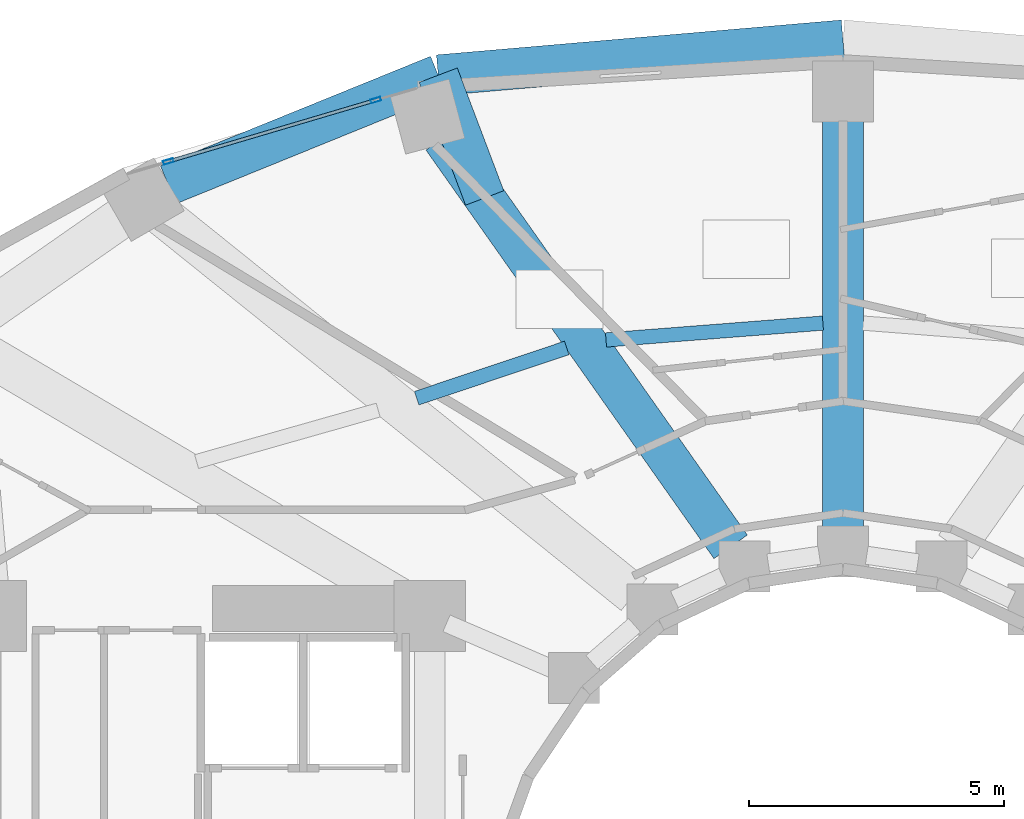
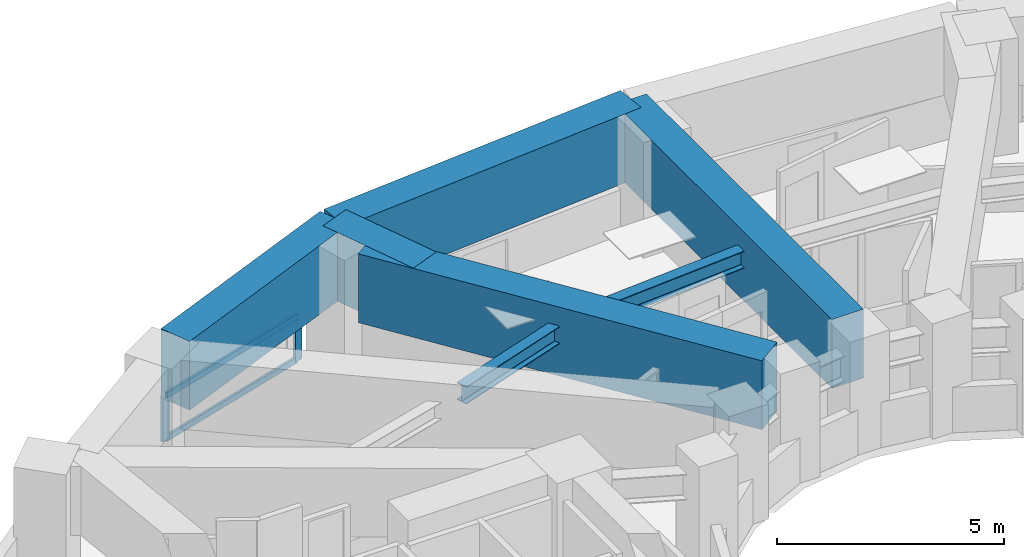
# One storey, part 6 of 16: 7 beams, 4 members, 1 element without a shape of its own.
"""IFC4 building model written with IfcOpenShell, lengths in metres."""

from ifc_helpers import new_model, si_unit, direction, frame, origin, origin_2d, place, context, subcontext, project, spatial, rectangle, hollow_rectangle, i_section, extrude, material, layer, layer_set, material_profile, profile_set, type_object, element, aggregate, save


model = new_model("IFC4")

# Units and contexts
model_context = context("Model", 3, precision=1e-05, world=origin(), true_north=direction((0.0, 1.0)))
body_context = subcontext(model_context, "Body", "Model", "MODEL_VIEW")
ifc_project = project(units=[si_unit("LENGTHUNIT", "METRE"), si_unit("AREAUNIT", "SQUARE_METRE"), si_unit("VOLUMEUNIT", "CUBIC_METRE"), si_unit("PLANEANGLEUNIT", "RADIAN"), si_unit("MASSUNIT", "GRAM", prefix="KILO")], contexts=[model_context])

# Site, building, storey
site_placement = place(None, origin())
site = spatial("IfcSite", under=ifc_project, at=site_placement, CompositionType="ELEMENT")
building_placement = place(site_placement, origin())
building = spatial("IfcBuilding", under=site, at=building_placement, Name="Solvane Sanctuary Tower", CompositionType="ELEMENT")
storey_placement = place(building_placement, frame((0.0, 0.0, 61.699951171875)))
storey = spatial("IfcBuildingStorey", under=building, at=storey_placement, Name="L18", CompositionType="ELEMENT", Elevation=61.699951171875)

# Beams
ifc_material_1 = material(Name="Steel ASTM A992 Grade 50", Category="steel")
ifc_material_profile_1 = material_profile(ifc_material_1, i_section(OverallWidth=0.280029296875, OverallDepth=0.462890625, WebThickness=0.0107421875, FlangeThickness=0.017333984375, FilletRadius=0.013916015625, at=origin_2d()), Name="W18X76")
ifc_profile_set_1 = profile_set([ifc_material_profile_1], Name="Steel ASTM A992 Grade 50")
beam_type_1 = type_object("IfcBeamType", Name="Beam B-SEC-JOIST W18X76", PredefinedType="JOIST", material=ifc_profile_set_1)
beam_1_placement = place(storey_placement, frame((23.64599609375, 34.468505859375, 2.366455078125), z_axis=(0.948289049928, 0.317408061944, 0.0), x_axis=(-0.317408061944, 0.948289049928, 0.0)))
element("IfcBeam", 1, at=beam_1_placement, inside=storey, type_object=beam_type_1, Name="L18 Secondary Circumferential Joist 06-05", PredefinedType="JOIST", context=body_context, shape_type="SweptSolid", body=[
    extrude(i_section(OverallWidth=0.280029296875, OverallDepth=0.462890625, WebThickness=0.0107421875, FlangeThickness=0.017333984375, FilletRadius=0.013916015625, at=origin_2d()), origin(), (0.0, 0.0, 1.0), 3.10205078125),
])
beam_2_placement = place(storey_placement, frame((27.35595703125, 35.609130859375, 2.366455078125), z_axis=(0.99699353627, 0.077484763891, 0.0), x_axis=(-0.077484763891, 0.99699353627, 0.0)))
element("IfcBeam", 2, at=beam_2_placement, inside=storey, type_object=beam_type_1, Name="L18 Secondary Circumferential Joist 05-04", PredefinedType="JOIST", context=body_context, shape_type="SweptSolid", body=[
    extrude(i_section(OverallWidth=0.280029296875, OverallDepth=0.462890625, WebThickness=0.0107421875, FlangeThickness=0.017333984375, FilletRadius=0.013916015625, at=origin_2d()), origin(), (0.0, 0.0, 1.0), 4.262939453125),
])
ifc_material_2 = material(Name="Concrete C70/85", Category="concrete")
ifc_material_profile_2 = material_profile(ifc_material_2, rectangle(XDim=0.800048828125, YDim=1.85009765625, at=origin_2d()), Name="RC800X1850")
ifc_profile_set_2 = profile_set([ifc_material_profile_2], Name="Concrete C70/85")
beam_type_2 = type_object("IfcBeamType", Name="Beam B-XFER-BLK RC800X1850", PredefinedType="BEAM", material=ifc_profile_set_2)
beam_3_placement = place(storey_placement, frame((32.0, 31.929931640625, 2.175048828125), z_axis=(0.0, 1.0, 0.0), x_axis=(-1.0, 0.0, 0.0)))
element("IfcBeam", 3, at=beam_3_placement, inside=storey, type_object=beam_type_2, Name="L18 Block-Shift Radial Transfer Girder 04A", PredefinedType="BEAM", context=body_context, shape_type="SweptSolid", body=[
    extrude(rectangle(XDim=0.800048828125, YDim=1.85009765625, at=origin_2d()), origin(), (0.0, 0.0, 1.0), 9.550048828125),
])
beam_4_placement = place(storey_placement, frame((29.79833984375, 31.555908203125, 2.175048828125), z_axis=(-0.576221171819, 0.817293803444, 0.0), x_axis=(-0.817293803444, -0.576221171819, 0.0)))
element("IfcBeam", 4, at=beam_4_placement, inside=storey, type_object=beam_type_2, Name="L18 Block-Shift Radial Transfer Girder 05A", PredefinedType="BEAM", context=body_context, shape_type="SweptSolid", body=[
    extrude(rectangle(XDim=0.800048828125, YDim=1.85009765625, at=origin_2d()), origin(), (0.0, 0.0, 1.0), 9.794189453125),
])
beam_5_placement = place(storey_placement, frame((24.978759765625, 38.391845703125, 2.175048828125), z_axis=(-0.354055958329, 0.935224239619, 0.0), x_axis=(-0.935224239619, -0.354055958329, 0.0)))
element("IfcBeam", 5, at=beam_5_placement, inside=storey, type_object=beam_type_2, Name="L18 Block-Shift Transfer Tie 05B", PredefinedType="BEAM", context=body_context, shape_type="SweptSolid", body=[
    extrude(rectangle(XDim=0.800048828125, YDim=1.85009765625, at=origin_2d()), origin(), (0.0, 0.0, 1.0), 2.5712890625),
])
beam_6_placement = place(storey_placement, frame((18.778564453125, 38.647216796875, 2.175048828125), z_axis=(0.92644001676, 0.376442419696, 0.0), x_axis=(-0.376442419696, 0.92644001676, 0.0)))
element("IfcBeam", 6, at=beam_6_placement, inside=storey, type_object=beam_type_2, Name="L18 Perimeter Step Transfer Ring NTC06-NTC05", PredefinedType="BEAM", context=body_context, shape_type="SweptSolid", body=[
    extrude(rectangle(XDim=0.800048828125, YDim=1.85009765625, at=origin_2d()), origin(), (0.0, 0.0, 1.0), 5.709716796875),
])
beam_7_placement = place(storey_placement, frame((24.068359375, 40.796630859375, 2.175048828125), z_axis=(0.996309201647, 0.08583690764, 0.0), x_axis=(-0.08583690764, 0.996309201647, 0.0)))
element("IfcBeam", 7, at=beam_7_placement, inside=storey, type_object=beam_type_2, Name="L18 Perimeter Step Transfer Ring NTC05-NTC04", PredefinedType="BEAM", context=body_context, shape_type="SweptSolid", body=[
    extrude(rectangle(XDim=0.800048828125, YDim=1.85009765625, at=origin_2d()), origin(), (0.0, 0.0, 1.0), 7.9609375),
])

# Curtain wall, members
ifc_material_3 = material(Name="Anodised Aluminium 6063-T6", Category="aluminium")
ifc_layer = layer(ifc_material_3, 0.169921875, Name="Anodised Aluminium 6063-T6")
ifc_layer_set = layer_set([ifc_layer], Name="Anodised Aluminium 6063-T6")
curtain_wall_type = type_object("IfcCurtainWallType", Name="Curtain Wall CW-FRIT-Z1", PredefinedType="NOTDEFINED", material=ifc_layer_set)
curtain_wall_placement = place(storey_placement, origin())
curtain_wall = element("IfcCurtainWall", 8, at=curtain_wall_placement, inside=storey, type_object=curtain_wall_type, Name="L18 CW-FRIT-Z1 Facade Run 07", PredefinedType="NOTDEFINED")
ifc_material_profile_3 = material_profile(ifc_material_3, hollow_rectangle(XDim=0.074951171875, YDim=0.199951171875, WallThickness=0.00390625, at=origin_2d()), Name="ALU200X75X4")
ifc_profile_set_3 = profile_set([ifc_material_profile_3], Name="Anodised Aluminium 6063-T6")
member_type_1 = type_object("IfcMemberType", Name="Member M-CW-MUL-1 ALU200X75X4", PredefinedType="MULLION", material=ifc_profile_set_3)
member_1_placement = place(storey_placement, frame((22.845947265625, 40.3095703125, 0.0), z_axis=(0.0, 0.0, 1.0), x_axis=(0.283936052018, -0.958843218866, 0.0)))
member_1 = element("IfcMember", 9, at=member_1_placement, type_object=member_type_1, Name="CW-FRIT-Z1 mullion 1", PredefinedType="MULLION", context=body_context, shape_type="SweptSolid", body=[
    extrude(hollow_rectangle(XDim=0.074951171875, YDim=0.199951171875, WallThickness=0.00390625, at=origin_2d()), origin(), (0.0, 0.0, 1.0), 1.219970703125),
])
member_2_placement = place(storey_placement, frame((18.7802734375, 39.10546875, 0.0), z_axis=(0.0, 0.0, 1.0), x_axis=(0.283936052018, -0.958843218866, 0.0)))
member_2 = element("IfcMember", 10, at=member_2_placement, type_object=member_type_1, Name="CW-FRIT-Z1 mullion 2", PredefinedType="MULLION", context=body_context, shape_type="SweptSolid", body=[
    extrude(hollow_rectangle(XDim=0.074951171875, YDim=0.199951171875, WallThickness=0.00390625, at=origin_2d()), origin(), (0.0, 0.0, 1.0), 1.219970703125),
])
ifc_material_profile_4 = material_profile(ifc_material_3, hollow_rectangle(XDim=0.06494140625, YDim=0.159912109375, WallThickness=0.00341796875, at=origin_2d()), Name="ALU160X65X3.5")
ifc_profile_set_4 = profile_set([ifc_material_profile_4], Name="Anodised Aluminium 6063-T6")
member_type_2 = type_object("IfcMemberType", Name="Member M-CW-TRN-1 ALU160X65X3.5", PredefinedType="USERDEFINED", material=ifc_profile_set_4)
member_3_placement = place(storey_placement, frame((22.81005859375, 40.298828125, 0.032470703125), z_axis=(-0.958847767463, -0.283920691093, 0.0), x_axis=(0.283920691093, -0.958847767463, 0.0)))
member_3 = element("IfcMember", 11, at=member_3_placement, type_object=member_type_2, Name="CW-FRIT-Z1 transom 1.1", ObjectType="TRANSOM", PredefinedType="USERDEFINED", context=body_context, shape_type="SweptSolid", body=[
    extrude(hollow_rectangle(XDim=0.06494140625, YDim=0.159912109375, WallThickness=0.00341796875, at=origin_2d()), origin(), (0.0, 0.0, 1.0), 4.165283203125),
])
member_4_placement = place(storey_placement, frame((22.81005859375, 40.298828125, 1.1875), z_axis=(-0.958847767463, -0.283920691093, 0.0), x_axis=(0.283920691093, -0.958847767463, 0.0)))
member_4 = element("IfcMember", 12, at=member_4_placement, type_object=member_type_2, Name="CW-FRIT-Z1 transom 1.2", ObjectType="TRANSOM", PredefinedType="USERDEFINED", context=body_context, shape_type="SweptSolid", body=[
    extrude(hollow_rectangle(XDim=0.06494140625, YDim=0.159912109375, WallThickness=0.00341796875, at=origin_2d()), origin(), (0.0, 0.0, 1.0), 4.165283203125),
])
aggregate(curtain_wall, [member_1, member_2, member_3, member_4])

save(model, "model.ifc")
